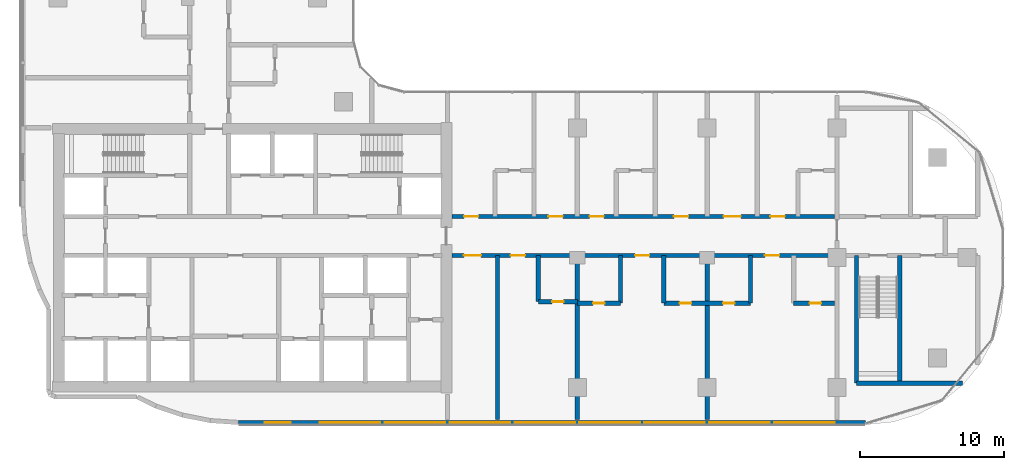
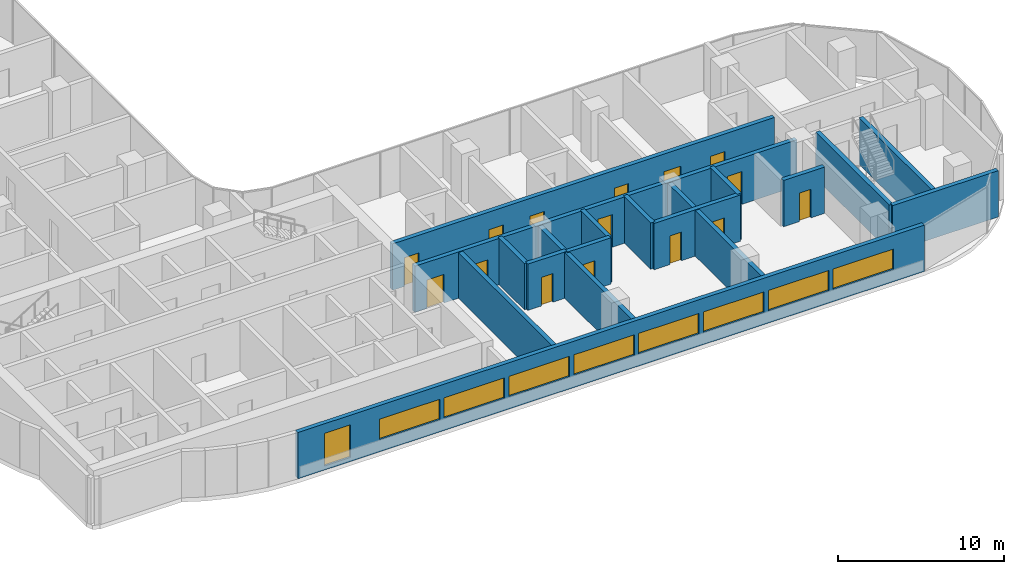
# One storey, part 12 of 23: 17 walls, 15 doors, 9 windows, 24 openings.
"""IFC4 building model written with IfcOpenShell, lengths in metres."""

from ifc_helpers import new_model, si_unit, direction, frame, frame_2d, origin, place, context, subcontext, project, spatial, rectangle, extrude, material, layer, layer_set, type_object, element, fill, save


model = new_model("IFC4")

# Units and contexts
model_context = context("Model", 3, precision=1e-05, world=origin(), true_north=direction((0.0, 1.0)))
body_context = subcontext(model_context, "Body", "Model", "MODEL_VIEW")
ifc_project = project(units=[si_unit("LENGTHUNIT", "METRE"), si_unit("AREAUNIT", "SQUARE_METRE"), si_unit("VOLUMEUNIT", "CUBIC_METRE"), si_unit("PLANEANGLEUNIT", "RADIAN"), si_unit("MASSUNIT", "GRAM", prefix="KILO")], contexts=[model_context])

# Site, building, storey
site_placement = place(None, origin())
site = spatial("IfcSite", under=ifc_project, at=site_placement, CompositionType="ELEMENT")
building_placement = place(site_placement, origin())
building = spatial("IfcBuilding", under=site, at=building_placement, Name="Ogive Portal Towers", CompositionType="ELEMENT")
storey_placement = place(building_placement, frame((0.0, 0.0, 120.39990234375)))
storey = spatial("IfcBuildingStorey", under=building, at=storey_placement, Name="L29", CompositionType="ELEMENT", Elevation=120.39990234375)

# Wall, openings, windows
ifc_material_1 = material(Name="Limestone cladding on lightweight block wall", Category="masonry")
ifc_layer_1 = layer(ifc_material_1, 0.300048828125)
ifc_layer_set_1 = layer_set([ifc_layer_1], Name="EXTERNAL WALL 300 STONE")
wall_type_1 = type_object("IfcWallType", Name="EXTERNAL WALL 300 STONE", PredefinedType="SOLIDWALL", material=ifc_layer_set_1)
wall_1_placement = place(storey_placement, frame((44.009765625, 19.074951171875, 0.0), z_axis=(0.0, 0.0, 1.0), x_axis=(1.0, 0.0, 0.0)))
wall_1 = element("IfcWall", 1, at=wall_1_placement, inside=storey, type_object=wall_type_1, Name="A:L29:f08:r0:wall", PredefinedType="SOLIDWALL", context=body_context, shape_type="SweptSolid", body=[
    extrude(rectangle(XDim=43.478271484375, YDim=0.300048828125, at=frame_2d((21.7392578125, 0.0))), origin(), (0.0, 0.0, 1.0), 3.400146484375),
])
opening_1_placement = place(wall_1_placement, frame((1.844970703125, 0.0, 0.300048828125)))
opening_1 = element("IfcOpeningElement", 2, at=opening_1_placement, cuts=wall_1, Name="Opening WN10", PredefinedType="OPENING", context=body_context, shape_type="SweptSolid", body=[
    extrude(rectangle(XDim=1.800048828125, YDim=2.39990234375, at=frame_2d((0.89990234375, 1.199951171875))), frame((0.0, 0.16015625, 0.0), z_axis=(0.0, -1.0, 0.0), x_axis=(1.0, 0.0, 0.0)), (0.0, 0.0, 1.0), 0.320068359375),
])
opening_2_placement = place(wall_1_placement, frame((5.64013671875, 0.0, 0.89990234375)))
opening_2 = element("IfcOpeningElement", 3, at=opening_2_placement, cuts=wall_1, Name="Opening WN11", PredefinedType="OPENING", context=body_context, shape_type="SweptSolid", body=[
    extrude(rectangle(XDim=4.199951171875, YDim=1.5, at=frame_2d((2.10009765625, 0.75))), frame((0.0, 0.16015625, 0.0), z_axis=(0.0, -1.0, 0.0), x_axis=(1.0, 0.0, 0.0)), (0.0, 0.0, 1.0), 0.320068359375),
])
opening_3_placement = place(wall_1_placement, frame((10.14013671875, 0.0, 0.89990234375)))
opening_3 = element("IfcOpeningElement", 4, at=opening_3_placement, cuts=wall_1, Name="Opening WN11", PredefinedType="OPENING", context=body_context, shape_type="SweptSolid", body=[
    extrude(rectangle(XDim=4.199951171875, YDim=1.5, at=frame_2d((2.10009765625, 0.75))), frame((0.0, 0.16015625, 0.0), z_axis=(0.0, -1.0, 0.0), x_axis=(1.0, 0.0, 0.0)), (0.0, 0.0, 1.0), 0.320068359375),
])
opening_4_placement = place(wall_1_placement, frame((14.64013671875, 0.0, 0.89990234375)))
opening_4 = element("IfcOpeningElement", 5, at=opening_4_placement, cuts=wall_1, Name="Opening WN11", PredefinedType="OPENING", context=body_context, shape_type="SweptSolid", body=[
    extrude(rectangle(XDim=4.199951171875, YDim=1.5, at=frame_2d((2.10009765625, 0.75))), frame((0.0, 0.16015625, 0.0), z_axis=(0.0, -1.0, 0.0), x_axis=(1.0, 0.0, 0.0)), (0.0, 0.0, 1.0), 0.320068359375),
])
opening_5_placement = place(wall_1_placement, frame((19.14013671875, 0.0, 0.89990234375)))
opening_5 = element("IfcOpeningElement", 6, at=opening_5_placement, cuts=wall_1, Name="Opening WN11", PredefinedType="OPENING", context=body_context, shape_type="SweptSolid", body=[
    extrude(rectangle(XDim=4.199951171875, YDim=1.5, at=frame_2d((2.10009765625, 0.75))), frame((0.0, 0.16015625, 0.0), z_axis=(0.0, -1.0, 0.0), x_axis=(1.0, 0.0, 0.0)), (0.0, 0.0, 1.0), 0.320068359375),
])
opening_6_placement = place(wall_1_placement, frame((23.64013671875, 0.0, 0.89990234375)))
opening_6 = element("IfcOpeningElement", 7, at=opening_6_placement, cuts=wall_1, Name="Opening WN11", PredefinedType="OPENING", context=body_context, shape_type="SweptSolid", body=[
    extrude(rectangle(XDim=4.199951171875, YDim=1.5, at=frame_2d((2.10009765625, 0.75))), frame((0.0, 0.16015625, 0.0), z_axis=(0.0, -1.0, 0.0), x_axis=(1.0, 0.0, 0.0)), (0.0, 0.0, 1.0), 0.320068359375),
])
opening_7_placement = place(wall_1_placement, frame((28.14013671875, 0.0, 0.89990234375)))
opening_7 = element("IfcOpeningElement", 8, at=opening_7_placement, cuts=wall_1, Name="Opening WN11", PredefinedType="OPENING", context=body_context, shape_type="SweptSolid", body=[
    extrude(rectangle(XDim=4.199951171875, YDim=1.5, at=frame_2d((2.10009765625, 0.75))), frame((0.0, 0.16015625, 0.0), z_axis=(0.0, -1.0, 0.0), x_axis=(1.0, 0.0, 0.0)), (0.0, 0.0, 1.0), 0.320068359375),
])
opening_8_placement = place(wall_1_placement, frame((32.64013671875, 0.0, 0.89990234375)))
opening_8 = element("IfcOpeningElement", 9, at=opening_8_placement, cuts=wall_1, Name="Opening WN11", PredefinedType="OPENING", context=body_context, shape_type="SweptSolid", body=[
    extrude(rectangle(XDim=4.199951171875, YDim=1.5, at=frame_2d((2.10009765625, 0.75))), frame((0.0, 0.16015625, 0.0), z_axis=(0.0, -1.0, 0.0), x_axis=(1.0, 0.0, 0.0)), (0.0, 0.0, 1.0), 0.320068359375),
])
opening_9_placement = place(wall_1_placement, frame((37.14013671875, 0.0, 0.89990234375)))
opening_9 = element("IfcOpeningElement", 10, at=opening_9_placement, cuts=wall_1, Name="Opening WN11", PredefinedType="OPENING", context=body_context, shape_type="SweptSolid", body=[
    extrude(rectangle(XDim=4.199951171875, YDim=1.5, at=frame_2d((2.10009765625, 0.75))), frame((0.0, 0.16015625, 0.0), z_axis=(0.0, -1.0, 0.0), x_axis=(1.0, 0.0, 0.0)), (0.0, 0.0, 1.0), 0.320068359375),
])
ifc_material_2 = material(Name="Glass, clear low-iron insulated glazing", Category="glass")
window_type_1 = type_object("IfcWindowType", Name="WINDOW RIBBON 4200x1500", PartitioningType="TRIPLE_PANEL_VERTICAL", PredefinedType="WINDOW", material=ifc_material_2)
window_1_placement = place(opening_2_placement, origin())
window_1 = element("IfcWindow", 11, at=window_1_placement, inside=storey, type_object=window_type_1, Name="A:L29:f08:r0:w1", OverallHeight=1.5, OverallWidth=4.199951171875, PartitioningType="SINGLE_PANEL", PredefinedType="WINDOW", context=body_context, shape_type="SweptSolid", body=[
    extrude(rectangle(XDim=4.199951171875, YDim=1.5, at=frame_2d((2.10009765625, 0.75))), frame((0.0, 0.030029296875, 0.0), z_axis=(0.0, -1.0, 0.0), x_axis=(1.0, 0.0, 0.0)), (0.0, 0.0, 1.0), 0.06005859375),
])
fill(opening_2, window_1)
window_2_placement = place(opening_3_placement, origin())
window_2 = element("IfcWindow", 12, at=window_2_placement, inside=storey, type_object=window_type_1, Name="A:L29:f08:r0:w2", OverallHeight=1.5, OverallWidth=4.199951171875, PartitioningType="SINGLE_PANEL", PredefinedType="WINDOW", context=body_context, shape_type="SweptSolid", body=[
    extrude(rectangle(XDim=4.199951171875, YDim=1.5, at=frame_2d((2.10009765625, 0.75))), frame((0.0, 0.030029296875, 0.0), z_axis=(0.0, -1.0, 0.0), x_axis=(1.0, 0.0, 0.0)), (0.0, 0.0, 1.0), 0.06005859375),
])
fill(opening_3, window_2)
window_3_placement = place(opening_4_placement, origin())
window_3 = element("IfcWindow", 13, at=window_3_placement, inside=storey, type_object=window_type_1, Name="A:L29:f08:r0:w3", OverallHeight=1.5, OverallWidth=4.199951171875, PartitioningType="SINGLE_PANEL", PredefinedType="WINDOW", context=body_context, shape_type="SweptSolid", body=[
    extrude(rectangle(XDim=4.199951171875, YDim=1.5, at=frame_2d((2.10009765625, 0.75))), frame((0.0, 0.030029296875, 0.0), z_axis=(0.0, -1.0, 0.0), x_axis=(1.0, 0.0, 0.0)), (0.0, 0.0, 1.0), 0.06005859375),
])
fill(opening_4, window_3)
window_4_placement = place(opening_5_placement, origin())
window_4 = element("IfcWindow", 14, at=window_4_placement, inside=storey, type_object=window_type_1, Name="A:L29:f08:r0:w4", OverallHeight=1.5, OverallWidth=4.199951171875, PartitioningType="SINGLE_PANEL", PredefinedType="WINDOW", context=body_context, shape_type="SweptSolid", body=[
    extrude(rectangle(XDim=4.199951171875, YDim=1.5, at=frame_2d((2.10009765625, 0.75))), frame((0.0, 0.030029296875, 0.0), z_axis=(0.0, -1.0, 0.0), x_axis=(1.0, 0.0, 0.0)), (0.0, 0.0, 1.0), 0.06005859375),
])
fill(opening_5, window_4)
window_5_placement = place(opening_6_placement, origin())
window_5 = element("IfcWindow", 15, at=window_5_placement, inside=storey, type_object=window_type_1, Name="A:L29:f08:r0:w5", OverallHeight=1.5, OverallWidth=4.199951171875, PartitioningType="SINGLE_PANEL", PredefinedType="WINDOW", context=body_context, shape_type="SweptSolid", body=[
    extrude(rectangle(XDim=4.199951171875, YDim=1.5, at=frame_2d((2.10009765625, 0.75))), frame((0.0, 0.030029296875, 0.0), z_axis=(0.0, -1.0, 0.0), x_axis=(1.0, 0.0, 0.0)), (0.0, 0.0, 1.0), 0.06005859375),
])
fill(opening_6, window_5)
window_6_placement = place(opening_7_placement, origin())
window_6 = element("IfcWindow", 16, at=window_6_placement, inside=storey, type_object=window_type_1, Name="A:L29:f08:r0:w6", OverallHeight=1.5, OverallWidth=4.199951171875, PartitioningType="SINGLE_PANEL", PredefinedType="WINDOW", context=body_context, shape_type="SweptSolid", body=[
    extrude(rectangle(XDim=4.199951171875, YDim=1.5, at=frame_2d((2.10009765625, 0.75))), frame((0.0, 0.030029296875, 0.0), z_axis=(0.0, -1.0, 0.0), x_axis=(1.0, 0.0, 0.0)), (0.0, 0.0, 1.0), 0.06005859375),
])
fill(opening_7, window_6)
window_7_placement = place(opening_8_placement, origin())
window_7 = element("IfcWindow", 17, at=window_7_placement, inside=storey, type_object=window_type_1, Name="A:L29:f08:r0:w7", OverallHeight=1.5, OverallWidth=4.199951171875, PartitioningType="SINGLE_PANEL", PredefinedType="WINDOW", context=body_context, shape_type="SweptSolid", body=[
    extrude(rectangle(XDim=4.199951171875, YDim=1.5, at=frame_2d((2.10009765625, 0.75))), frame((0.0, 0.030029296875, 0.0), z_axis=(0.0, -1.0, 0.0), x_axis=(1.0, 0.0, 0.0)), (0.0, 0.0, 1.0), 0.06005859375),
])
fill(opening_8, window_7)
window_8_placement = place(opening_9_placement, origin())
window_8 = element("IfcWindow", 18, at=window_8_placement, inside=storey, type_object=window_type_1, Name="A:L29:f08:r0:w8", OverallHeight=1.5, OverallWidth=4.199951171875, PartitioningType="SINGLE_PANEL", PredefinedType="WINDOW", context=body_context, shape_type="SweptSolid", body=[
    extrude(rectangle(XDim=4.199951171875, YDim=1.5, at=frame_2d((2.10009765625, 0.75))), frame((0.0, 0.030029296875, 0.0), z_axis=(0.0, -1.0, 0.0), x_axis=(1.0, 0.0, 0.0)), (0.0, 0.0, 1.0), 0.06005859375),
])
fill(opening_9, window_8)
window_type_2 = type_object("IfcWindowType", Name="WINDOW SUITE CORNER 1800x2400", PartitioningType="DOUBLE_PANEL_VERTICAL", PredefinedType="WINDOW", material=ifc_material_2)
window_9_placement = place(opening_1_placement, origin())
window_9 = element("IfcWindow", 19, at=window_9_placement, inside=storey, type_object=window_type_2, Name="A:L29:f08:r0:w0", OverallHeight=2.39990234375, OverallWidth=1.800048828125, PartitioningType="SINGLE_PANEL", PredefinedType="WINDOW", context=body_context, shape_type="SweptSolid", body=[
    extrude(rectangle(XDim=1.800048828125, YDim=2.39990234375, at=frame_2d((0.89990234375, 1.199951171875))), frame((0.0, 0.030029296875, 0.0), z_axis=(0.0, -1.0, 0.0), x_axis=(1.0, 0.0, 0.0)), (0.0, 0.0, 1.0), 0.06005859375),
])
fill(opening_1, window_9)

# Walls
ifc_material_3 = material(Name="Concrete C50/60", Category="concrete")
ifc_layer_2 = layer(ifc_material_3, 0.300048828125)
ifc_layer_set_2 = layer_set([ifc_layer_2], Name="STAIR WALL 300 C50")
wall_type_2 = type_object("IfcWallType", Name="STAIR WALL 300 C50", PredefinedType="SHEAR", material=ifc_layer_set_2)
wall_2_placement = place(storey_placement, frame((86.85009765625, 21.800048828125, 0.0), z_axis=(0.0, 0.0, 1.0), x_axis=(1.0, 0.0, 0.0)))
element("IfcWall", 20, at=wall_2_placement, inside=storey, type_object=wall_type_2, Name="Stair wall ST-A4 L29", PredefinedType="SHEAR", context=body_context, shape_type="SweptSolid", body=[
    extrude(rectangle(XDim=7.3388671875, YDim=0.300048828125, at=frame_2d((3.66943359375, 0.0))), origin(), (0.0, 0.0, 1.0), 3.400146484375),
])
for number, where, z_axis, x_axis, name in (
    (21, (86.85009765625, 21.800048828125, 0.0), (0.0, 0.0, 1.0), (0.0, 1.0, 0.0), "Stair wall ST-A4 L29"),
    (22, (89.85009765625, 21.800048828125, 0.0), (0.0, 0.0, 1.0), (0.0, 1.0, 0.0), "Stair wall ST-A4 L29"),
):
    element("IfcWall", number, at=place(storey_placement, frame(where, z_axis=z_axis, x_axis=x_axis)), inside=storey, type_object=wall_type_2, Name=name, PredefinedType="SHEAR", context=body_context, shape_type="SweptSolid", body=[
        extrude(rectangle(XDim=8.849853515625, YDim=0.300048828125, at=frame_2d((4.4248046875, 0.0))), origin(), (0.0, 0.0, 1.0), 3.400146484375),
    ])

# Wall, openings, doors
ifc_material_4 = material(Name="Gypsum board partition on steel studs", Category="steel")
ifc_layer_3 = layer(ifc_material_4, 0.300048828125)
ifc_layer_set_3 = layer_set([ifc_layer_3], Name="WT-PART-300-EI 120")
wall_type_3 = type_object("IfcWallType", Name="WT-PART-300-EI 120", PredefinedType="PARTITIONING", material=ifc_layer_set_3)
wall_3_placement = place(storey_placement, frame((58.800048828125, 30.64990234375, 0.0), z_axis=(0.0, 0.0, 1.0), x_axis=(1.0, 0.0, 0.0)))
wall_3 = element("IfcWall", 23, at=wall_3_placement, inside=storey, type_object=wall_type_3, Name="Wall L29:w006", PredefinedType="PARTITIONING", context=body_context, shape_type="SweptSolid", body=[
    extrude(rectangle(XDim=26.530029296875, YDim=0.300048828125, at=frame_2d((13.26513671875, 0.0))), origin(), (0.0, 0.0, 1.0), 3.400146484375),
])
opening_10_placement = place(wall_3_placement, frame((0.8349609375, 0.0, 0.0)))
opening_10 = element("IfcOpeningElement", 24, at=opening_10_placement, cuts=wall_3, Name="Opening D10-029", PredefinedType="OPENING", context=body_context, shape_type="SweptSolid", body=[
    extrude(rectangle(XDim=1.199951171875, YDim=2.10009765625, at=frame_2d((0.60009765625, 1.050048828125))), frame((0.0, 0.16015625, 0.0), z_axis=(0.0, -1.0, 0.0), x_axis=(1.0, 0.0, 0.0)), (0.0, 0.0, 1.0), 0.320068359375),
])
opening_11_placement = place(wall_3_placement, frame((4.0849609375, 0.0, 0.0)))
opening_11 = element("IfcOpeningElement", 25, at=opening_11_placement, cuts=wall_3, Name="Opening D10-031", PredefinedType="OPENING", context=body_context, shape_type="SweptSolid", body=[
    extrude(rectangle(XDim=1.0, YDim=2.10009765625, at=frame_2d((0.5, 1.050048828125))), frame((0.0, 0.16015625, 0.0), z_axis=(0.0, -1.0, 0.0), x_axis=(1.0, 0.0, 0.0)), (0.0, 0.0, 1.0), 0.320068359375),
])
opening_12_placement = place(wall_3_placement, frame((12.699951171875, 0.0, 0.0)))
opening_12 = element("IfcOpeningElement", 26, at=opening_12_placement, cuts=wall_3, Name="Opening D10-037", PredefinedType="OPENING", context=body_context, shape_type="SweptSolid", body=[
    extrude(rectangle(XDim=1.0, YDim=2.39990234375, at=frame_2d((0.5, 1.199951171875))), frame((0.0, 0.16015625, 0.0), z_axis=(0.0, -1.0, 0.0), x_axis=(1.0, 0.0, 0.0)), (0.0, 0.0, 1.0), 0.320068359375),
])
opening_13_placement = place(wall_3_placement, frame((21.699951171875, 0.0, 0.0)))
opening_13 = element("IfcOpeningElement", 27, at=opening_13_placement, cuts=wall_3, Name="Opening D10-043", PredefinedType="OPENING", context=body_context, shape_type="SweptSolid", body=[
    extrude(rectangle(XDim=1.0, YDim=2.39990234375, at=frame_2d((0.5, 1.199951171875))), frame((0.0, 0.16015625, 0.0), z_axis=(0.0, -1.0, 0.0), x_axis=(1.0, 0.0, 0.0)), (0.0, 0.0, 1.0), 0.320068359375),
])
ifc_material_5 = material(Name="Steel fire door", Category="steel")
door_type_1 = type_object("IfcDoorType", Name="DT-ENTRY-1000x2100-FD90S", OperationType="SINGLE_SWING_LEFT", PredefinedType="DOOR", material=ifc_material_5)
door_1_placement = place(opening_11_placement, origin())
door_1 = element("IfcDoor", 28, at=door_1_placement, inside=storey, type_object=door_type_1, Name="Door D10-031", OperationType="SINGLE_SWING_LEFT", OverallHeight=2.10009765625, OverallWidth=1.0, PredefinedType="DOOR", context=body_context, shape_type="SweptSolid", body=[
    extrude(rectangle(XDim=1.0, YDim=2.10009765625, at=frame_2d((0.5, 1.050048828125))), frame((0.0, 0.02490234375, 0.0), z_axis=(0.0, -1.0, 0.0), x_axis=(1.0, 0.0, 0.0)), (0.0, 0.0, 1.0), 0.050048828125),
])
fill(opening_11, door_1)
door_type_2 = type_object("IfcDoorType", Name="DT-ENTRY-1000x2400-FD90S", OperationType="SINGLE_SWING_LEFT", PredefinedType="DOOR", material=ifc_material_5)
door_2_placement = place(opening_12_placement, origin())
door_2 = element("IfcDoor", 29, at=door_2_placement, inside=storey, type_object=door_type_2, Name="Door D10-037", OperationType="SINGLE_SWING_LEFT", OverallHeight=2.39990234375, OverallWidth=1.0, PredefinedType="DOOR", context=body_context, shape_type="SweptSolid", body=[
    extrude(rectangle(XDim=1.0, YDim=2.39990234375, at=frame_2d((0.5, 1.199951171875))), frame((0.0, 0.02490234375, 0.0), z_axis=(0.0, -1.0, 0.0), x_axis=(1.0, 0.0, 0.0)), (0.0, 0.0, 1.0), 0.050048828125),
])
fill(opening_12, door_2)
door_3_placement = place(opening_13_placement, origin())
door_3 = element("IfcDoor", 30, at=door_3_placement, inside=storey, type_object=door_type_2, Name="Door D10-043", OperationType="SINGLE_SWING_LEFT", OverallHeight=2.39990234375, OverallWidth=1.0, PredefinedType="DOOR", context=body_context, shape_type="SweptSolid", body=[
    extrude(rectangle(XDim=1.0, YDim=2.39990234375, at=frame_2d((0.5, 1.199951171875))), frame((0.0, 0.02490234375, 0.0), z_axis=(0.0, -1.0, 0.0), x_axis=(1.0, 0.0, 0.0)), (0.0, 0.0, 1.0), 0.050048828125),
])
fill(opening_13, door_3)
door_type_3 = type_object("IfcDoorType", Name="DT-ENTRY-1200x2100-FD90S", OperationType="SINGLE_SWING_LEFT", PredefinedType="DOOR", material=ifc_material_5)
door_4_placement = place(opening_10_placement, origin())
door_4 = element("IfcDoor", 31, at=door_4_placement, inside=storey, type_object=door_type_3, Name="Door D10-029", OperationType="SINGLE_SWING_LEFT", OverallHeight=2.10009765625, OverallWidth=1.199951171875, PredefinedType="DOOR", context=body_context, shape_type="SweptSolid", body=[
    extrude(rectangle(XDim=1.199951171875, YDim=2.10009765625, at=frame_2d((0.60009765625, 1.050048828125))), frame((0.0, 0.02490234375, 0.0), z_axis=(0.0, -1.0, 0.0), x_axis=(1.0, 0.0, 0.0)), (0.0, 0.0, 1.0), 0.050048828125),
])
fill(opening_10, door_4)

wall_4_placement = place(storey_placement, frame((58.800048828125, 33.35009765625, 0.0), z_axis=(0.0, 0.0, 1.0), x_axis=(1.0, 0.0, 0.0)))
wall_4 = element("IfcWall", 32, at=wall_4_placement, inside=storey, type_object=wall_type_3, Name="Wall L29:w008", PredefinedType="PARTITIONING", context=body_context, shape_type="SweptSolid", body=[
    extrude(rectangle(XDim=26.530029296875, YDim=0.300048828125, at=frame_2d((13.26513671875, 0.0))), origin(), (0.0, 0.0, 1.0), 3.400146484375),
])
opening_14_placement = place(wall_4_placement, frame((0.85009765625, 0.0, 0.0)))
opening_14 = element("IfcOpeningElement", 33, at=opening_14_placement, cuts=wall_4, Name="Opening D10-027", PredefinedType="OPENING", context=body_context, shape_type="SweptSolid", body=[
    extrude(rectangle(XDim=1.0, YDim=2.10009765625, at=frame_2d((0.5, 1.050048828125))), frame((0.0, 0.16015625, 0.0), z_axis=(0.0, -1.0, 0.0), x_axis=(1.0, 0.0, 0.0)), (0.0, 0.0, 1.0), 0.320068359375),
])
opening_15_placement = place(wall_4_placement, frame((6.699951171875, 0.0, 0.0)))
opening_15 = element("IfcOpeningElement", 34, at=opening_15_placement, cuts=wall_4, Name="Opening D10-028", PredefinedType="OPENING", context=body_context, shape_type="SweptSolid", body=[
    extrude(rectangle(XDim=1.0, YDim=2.10009765625, at=frame_2d((0.5, 1.050048828125))), frame((0.0, 0.16015625, 0.0), z_axis=(0.0, -1.0, 0.0), x_axis=(1.0, 0.0, 0.0)), (0.0, 0.0, 1.0), 0.320068359375),
])
opening_16_placement = place(wall_4_placement, frame((9.550048828125, 0.0, 0.0)))
opening_16 = element("IfcOpeningElement", 35, at=opening_16_placement, cuts=wall_4, Name="Opening D10-033", PredefinedType="OPENING", context=body_context, shape_type="SweptSolid", body=[
    extrude(rectangle(XDim=1.0, YDim=2.10009765625, at=frame_2d((0.5, 1.050048828125))), frame((0.0, 0.16015625, 0.0), z_axis=(0.0, -1.0, 0.0), x_axis=(1.0, 0.0, 0.0)), (0.0, 0.0, 1.0), 0.320068359375),
])
opening_17_placement = place(wall_4_placement, frame((15.39990234375, 0.0, 0.0)))
opening_17 = element("IfcOpeningElement", 36, at=opening_17_placement, cuts=wall_4, Name="Opening D10-034", PredefinedType="OPENING", context=body_context, shape_type="SweptSolid", body=[
    extrude(rectangle(XDim=1.0, YDim=2.10009765625, at=frame_2d((0.5, 1.050048828125))), frame((0.0, 0.16015625, 0.0), z_axis=(0.0, -1.0, 0.0), x_axis=(1.0, 0.0, 0.0)), (0.0, 0.0, 1.0), 0.320068359375),
])
opening_18_placement = place(wall_4_placement, frame((18.8349609375, 0.0, 0.0)))
opening_18 = element("IfcOpeningElement", 37, at=opening_18_placement, cuts=wall_4, Name="Opening D10-038", PredefinedType="OPENING", context=body_context, shape_type="SweptSolid", body=[
    extrude(rectangle(XDim=1.199951171875, YDim=2.10009765625, at=frame_2d((0.60009765625, 1.050048828125))), frame((0.0, 0.16015625, 0.0), z_axis=(0.0, -1.0, 0.0), x_axis=(1.0, 0.0, 0.0)), (0.0, 0.0, 1.0), 0.320068359375),
])
opening_19_placement = place(wall_4_placement, frame((22.0849609375, 0.0, 0.0)))
opening_19 = element("IfcOpeningElement", 38, at=opening_19_placement, cuts=wall_4, Name="Opening D10-040", PredefinedType="OPENING", context=body_context, shape_type="SweptSolid", body=[
    extrude(rectangle(XDim=1.0, YDim=2.10009765625, at=frame_2d((0.5, 1.050048828125))), frame((0.0, 0.16015625, 0.0), z_axis=(0.0, -1.0, 0.0), x_axis=(1.0, 0.0, 0.0)), (0.0, 0.0, 1.0), 0.320068359375),
])
door_5_placement = place(opening_14_placement, origin())
door_5 = element("IfcDoor", 39, at=door_5_placement, inside=storey, type_object=door_type_1, Name="Door D10-027", OperationType="SINGLE_SWING_LEFT", OverallHeight=2.10009765625, OverallWidth=1.0, PredefinedType="DOOR", context=body_context, shape_type="SweptSolid", body=[
    extrude(rectangle(XDim=1.0, YDim=2.10009765625, at=frame_2d((0.5, 1.050048828125))), frame((0.0, 0.02490234375, 0.0), z_axis=(0.0, -1.0, 0.0), x_axis=(1.0, 0.0, 0.0)), (0.0, 0.0, 1.0), 0.050048828125),
])
fill(opening_14, door_5)
door_6_placement = place(opening_15_placement, origin())
door_6 = element("IfcDoor", 40, at=door_6_placement, inside=storey, type_object=door_type_1, Name="Door D10-028", OperationType="SINGLE_SWING_RIGHT", OverallHeight=2.10009765625, OverallWidth=1.0, PredefinedType="DOOR", context=body_context, shape_type="SweptSolid", body=[
    extrude(rectangle(XDim=1.0, YDim=2.10009765625, at=frame_2d((0.5, 1.050048828125))), frame((0.0, 0.02490234375, 0.0), z_axis=(0.0, -1.0, 0.0), x_axis=(1.0, 0.0, 0.0)), (0.0, 0.0, 1.0), 0.050048828125),
])
fill(opening_15, door_6)
door_7_placement = place(opening_16_placement, origin())
door_7 = element("IfcDoor", 41, at=door_7_placement, inside=storey, type_object=door_type_1, Name="Door D10-033", OperationType="SINGLE_SWING_LEFT", OverallHeight=2.10009765625, OverallWidth=1.0, PredefinedType="DOOR", context=body_context, shape_type="SweptSolid", body=[
    extrude(rectangle(XDim=1.0, YDim=2.10009765625, at=frame_2d((0.5, 1.050048828125))), frame((0.0, 0.02490234375, 0.0), z_axis=(0.0, -1.0, 0.0), x_axis=(1.0, 0.0, 0.0)), (0.0, 0.0, 1.0), 0.050048828125),
])
fill(opening_16, door_7)
door_8_placement = place(opening_17_placement, origin())
door_8 = element("IfcDoor", 42, at=door_8_placement, inside=storey, type_object=door_type_1, Name="Door D10-034", OperationType="SINGLE_SWING_RIGHT", OverallHeight=2.10009765625, OverallWidth=1.0, PredefinedType="DOOR", context=body_context, shape_type="SweptSolid", body=[
    extrude(rectangle(XDim=1.0, YDim=2.10009765625, at=frame_2d((0.5, 1.050048828125))), frame((0.0, 0.02490234375, 0.0), z_axis=(0.0, -1.0, 0.0), x_axis=(1.0, 0.0, 0.0)), (0.0, 0.0, 1.0), 0.050048828125),
])
fill(opening_17, door_8)
door_9_placement = place(opening_19_placement, origin())
door_9 = element("IfcDoor", 43, at=door_9_placement, inside=storey, type_object=door_type_1, Name="Door D10-040", OperationType="SINGLE_SWING_LEFT", OverallHeight=2.10009765625, OverallWidth=1.0, PredefinedType="DOOR", context=body_context, shape_type="SweptSolid", body=[
    extrude(rectangle(XDim=1.0, YDim=2.10009765625, at=frame_2d((0.5, 1.050048828125))), frame((0.0, 0.02490234375, 0.0), z_axis=(0.0, -1.0, 0.0), x_axis=(1.0, 0.0, 0.0)), (0.0, 0.0, 1.0), 0.050048828125),
])
fill(opening_19, door_9)
door_10_placement = place(opening_18_placement, origin())
door_10 = element("IfcDoor", 44, at=door_10_placement, inside=storey, type_object=door_type_3, Name="Door D10-038", OperationType="SINGLE_SWING_LEFT", OverallHeight=2.10009765625, OverallWidth=1.199951171875, PredefinedType="DOOR", context=body_context, shape_type="SweptSolid", body=[
    extrude(rectangle(XDim=1.199951171875, YDim=2.10009765625, at=frame_2d((0.60009765625, 1.050048828125))), frame((0.0, 0.02490234375, 0.0), z_axis=(0.0, -1.0, 0.0), x_axis=(1.0, 0.0, 0.0)), (0.0, 0.0, 1.0), 0.050048828125),
])
fill(opening_18, door_10)

# Wall, opening, door
ifc_layer_4 = layer(ifc_material_4, 0.300048828125)
ifc_layer_set_4 = layer_set([ifc_layer_4], Name="WT-PART-300-EI 60")
wall_type_4 = type_object("IfcWallType", Name="WT-PART-300-EI 60", PredefinedType="PARTITIONING", material=ifc_layer_set_4)
wall_5_placement = place(storey_placement, frame((67.5, 27.35009765625, 0.0), z_axis=(0.0, 0.0, 1.0), x_axis=(1.0, 0.0, 0.0)))
wall_5 = element("IfcWall", 45, at=wall_5_placement, inside=storey, type_object=wall_type_4, Name="Wall L29:w002", PredefinedType="PARTITIONING", context=body_context, shape_type="SweptSolid", body=[
    extrude(rectangle(XDim=3.0, YDim=0.300048828125, at=frame_2d((1.5, 0.0))), origin(), (0.0, 0.0, 1.0), 3.400146484375),
])
opening_20_placement = place(wall_5_placement, frame((1.10009765625, 0.0, 0.0)))
opening_20 = element("IfcOpeningElement", 46, at=opening_20_placement, cuts=wall_5, Name="Opening D10-035", PredefinedType="OPENING", context=body_context, shape_type="SweptSolid", body=[
    extrude(rectangle(XDim=0.800048828125, YDim=2.10009765625, at=frame_2d((0.39990234375, 1.050048828125))), frame((0.0, 0.16015625, 0.0), z_axis=(0.0, -1.0, 0.0), x_axis=(1.0, 0.0, 0.0)), (0.0, 0.0, 1.0), 0.320068359375),
])
door_type_4 = type_object("IfcDoorType", Name="DT-BATH-800x2100-FD60S", OperationType="SINGLE_SWING_LEFT", PredefinedType="DOOR", material=ifc_material_5)
door_11_placement = place(opening_20_placement, origin())
door_11 = element("IfcDoor", 47, at=door_11_placement, inside=storey, type_object=door_type_4, Name="Door D10-035", OperationType="SINGLE_SWING_LEFT", OverallHeight=2.10009765625, OverallWidth=0.800048828125, PredefinedType="DOOR", context=body_context, shape_type="SweptSolid", body=[
    extrude(rectangle(XDim=0.800048828125, YDim=2.10009765625, at=frame_2d((0.39990234375, 1.050048828125))), frame((0.0, 0.02490234375, 0.0), z_axis=(0.0, -1.0, 0.0), x_axis=(1.0, 0.0, 0.0)), (0.0, 0.0, 1.0), 0.050048828125),
])
fill(opening_20, door_11)

# Wall, openings, doors
wall_6_placement = place(storey_placement, frame((73.5, 27.35009765625, 0.0), z_axis=(0.0, 0.0, 1.0), x_axis=(1.0, 0.0, 0.0)))
wall_6 = element("IfcWall", 48, at=wall_6_placement, inside=storey, type_object=wall_type_4, Name="Wall L29:w003", PredefinedType="PARTITIONING", context=body_context, shape_type="SweptSolid", body=[
    extrude(rectangle(XDim=6.0, YDim=0.300048828125, at=frame_2d((3.0, 0.0))), origin(), (0.0, 0.0, 1.0), 3.400146484375),
])
opening_21_placement = place(wall_6_placement, frame((1.10009765625, 0.0, 0.0)))
opening_21 = element("IfcOpeningElement", 49, at=opening_21_placement, cuts=wall_6, Name="Opening D10-036", PredefinedType="OPENING", context=body_context, shape_type="SweptSolid", body=[
    extrude(rectangle(XDim=0.800048828125, YDim=2.10009765625, at=frame_2d((0.39990234375, 1.050048828125))), frame((0.0, 0.16015625, 0.0), z_axis=(0.0, -1.0, 0.0), x_axis=(1.0, 0.0, 0.0)), (0.0, 0.0, 1.0), 0.320068359375),
])
opening_22_placement = place(wall_6_placement, frame((4.10009765625, 0.0, 0.0)))
opening_22 = element("IfcOpeningElement", 50, at=opening_22_placement, cuts=wall_6, Name="Opening D10-041", PredefinedType="OPENING", context=body_context, shape_type="SweptSolid", body=[
    extrude(rectangle(XDim=0.800048828125, YDim=2.10009765625, at=frame_2d((0.39990234375, 1.050048828125))), frame((0.0, 0.16015625, 0.0), z_axis=(0.0, -1.0, 0.0), x_axis=(1.0, 0.0, 0.0)), (0.0, 0.0, 1.0), 0.320068359375),
])
door_12_placement = place(opening_21_placement, origin())
door_12 = element("IfcDoor", 51, at=door_12_placement, inside=storey, type_object=door_type_4, Name="Door D10-036", OperationType="SINGLE_SWING_RIGHT", OverallHeight=2.10009765625, OverallWidth=0.800048828125, PredefinedType="DOOR", context=body_context, shape_type="SweptSolid", body=[
    extrude(rectangle(XDim=0.800048828125, YDim=2.10009765625, at=frame_2d((0.39990234375, 1.050048828125))), frame((0.0, 0.02490234375, 0.0), z_axis=(0.0, -1.0, 0.0), x_axis=(1.0, 0.0, 0.0)), (0.0, 0.0, 1.0), 0.050048828125),
])
fill(opening_21, door_12)
door_13_placement = place(opening_22_placement, origin())
door_13 = element("IfcDoor", 52, at=door_13_placement, inside=storey, type_object=door_type_4, Name="Door D10-041", OperationType="SINGLE_SWING_LEFT", OverallHeight=2.10009765625, OverallWidth=0.800048828125, PredefinedType="DOOR", context=body_context, shape_type="SweptSolid", body=[
    extrude(rectangle(XDim=0.800048828125, YDim=2.10009765625, at=frame_2d((0.39990234375, 1.050048828125))), frame((0.0, 0.02490234375, 0.0), z_axis=(0.0, -1.0, 0.0), x_axis=(1.0, 0.0, 0.0)), (0.0, 0.0, 1.0), 0.050048828125),
])
fill(opening_22, door_13)

# Wall, opening, door
wall_7_placement = place(storey_placement, frame((82.5, 27.35009765625, 0.0), z_axis=(0.0, 0.0, 1.0), x_axis=(1.0, 0.0, 0.0)))
wall_7 = element("IfcWall", 53, at=wall_7_placement, inside=storey, type_object=wall_type_4, Name="Wall L29:w004", PredefinedType="PARTITIONING", context=body_context, shape_type="SweptSolid", body=[
    extrude(rectangle(XDim=2.830078125, YDim=0.300048828125, at=frame_2d((1.4150390625, 0.0))), origin(), (0.0, 0.0, 1.0), 3.400146484375),
])
opening_23_placement = place(wall_7_placement, frame((1.10009765625, 0.0, 0.0)))
opening_23 = element("IfcOpeningElement", 54, at=opening_23_placement, cuts=wall_7, Name="Opening D10-042", PredefinedType="OPENING", context=body_context, shape_type="SweptSolid", body=[
    extrude(rectangle(XDim=0.800048828125, YDim=2.10009765625, at=frame_2d((0.39990234375, 1.050048828125))), frame((0.0, 0.16015625, 0.0), z_axis=(0.0, -1.0, 0.0), x_axis=(1.0, 0.0, 0.0)), (0.0, 0.0, 1.0), 0.320068359375),
])
door_14_placement = place(opening_23_placement, origin())
door_14 = element("IfcDoor", 55, at=door_14_placement, inside=storey, type_object=door_type_4, Name="Door D10-042", OperationType="SINGLE_SWING_RIGHT", OverallHeight=2.10009765625, OverallWidth=0.800048828125, PredefinedType="DOOR", context=body_context, shape_type="SweptSolid", body=[
    extrude(rectangle(XDim=0.800048828125, YDim=2.10009765625, at=frame_2d((0.39990234375, 1.050048828125))), frame((0.0, 0.02490234375, 0.0), z_axis=(0.0, -1.0, 0.0), x_axis=(1.0, 0.0, 0.0)), (0.0, 0.0, 1.0), 0.050048828125),
])
fill(opening_23, door_14)

wall_8_placement = place(storey_placement, frame((64.800048828125, 27.449951171875, 0.0), z_axis=(0.0, 0.0, 1.0), x_axis=(1.0, 0.0, 0.0)))
wall_8 = element("IfcWall", 56, at=wall_8_placement, inside=storey, type_object=wall_type_4, Name="Wall L29:w005", PredefinedType="PARTITIONING", context=body_context, shape_type="SweptSolid", body=[
    extrude(rectangle(XDim=2.699951171875, YDim=0.300048828125, at=frame_2d((1.35009765625, 0.0))), origin(), (0.0, 0.0, 1.0), 3.400146484375),
])
opening_24_placement = place(wall_8_placement, frame((0.949951171875, 0.0, 0.0)))
opening_24 = element("IfcOpeningElement", 57, at=opening_24_placement, cuts=wall_8, Name="Opening D10-030", PredefinedType="OPENING", context=body_context, shape_type="SweptSolid", body=[
    extrude(rectangle(XDim=0.800048828125, YDim=2.10009765625, at=frame_2d((0.39990234375, 1.050048828125))), frame((0.0, 0.16015625, 0.0), z_axis=(0.0, -1.0, 0.0), x_axis=(1.0, 0.0, 0.0)), (0.0, 0.0, 1.0), 0.320068359375),
])
door_15_placement = place(opening_24_placement, origin())
door_15 = element("IfcDoor", 58, at=door_15_placement, inside=storey, type_object=door_type_4, Name="Door D10-030", OperationType="SINGLE_SWING_RIGHT", OverallHeight=2.10009765625, OverallWidth=0.800048828125, PredefinedType="DOOR", context=body_context, shape_type="SweptSolid", body=[
    extrude(rectangle(XDim=0.800048828125, YDim=2.10009765625, at=frame_2d((0.39990234375, 1.050048828125))), frame((0.0, 0.02490234375, 0.0), z_axis=(0.0, -1.0, 0.0), x_axis=(1.0, 0.0, 0.0)), (0.0, 0.0, 1.0), 0.050048828125),
])
fill(opening_24, door_15)

# Walls
wall_9_placement = place(storey_placement, frame((61.969970703125, 19.27490234375, 0.0), z_axis=(0.0, 0.0, 1.0), x_axis=(0.0, 1.0, 0.0)))
element("IfcWall", 59, at=wall_9_placement, inside=storey, type_object=wall_type_4, Name="Wall L29:w049", PredefinedType="PARTITIONING", context=body_context, shape_type="SweptSolid", body=[
    extrude(rectangle(XDim=11.375, YDim=0.300048828125, at=frame_2d((5.6875, 0.0))), origin(), (0.0, 0.0, 1.0), 3.35009765625),
])
wall_10_placement = place(storey_placement, frame((64.800048828125, 27.449951171875, 0.0), z_axis=(0.0, 0.0, 1.0), x_axis=(0.0, 1.0, 0.0)))
element("IfcWall", 60, at=wall_10_placement, inside=storey, type_object=wall_type_4, Name="Wall L29:w051", PredefinedType="PARTITIONING", context=body_context, shape_type="SweptSolid", body=[
    extrude(rectangle(XDim=3.199951171875, YDim=0.300048828125, at=frame_2d((1.60009765625, 0.0))), origin(), (0.0, 0.0, 1.0), 3.400146484375),
])
wall_11_placement = place(storey_placement, frame((67.5, 19.27490234375, 0.0), z_axis=(0.0, 0.0, 1.0), x_axis=(0.0, 1.0, 0.0)))
element("IfcWall", 61, at=wall_11_placement, inside=storey, type_object=wall_type_4, Name="Wall L29:w052", PredefinedType="PARTITIONING", context=body_context, shape_type="SweptSolid", body=[
    extrude(rectangle(XDim=11.375, YDim=0.300048828125, at=frame_2d((5.6875, 0.0))), origin(), (0.0, 0.0, 1.0), 3.35009765625),
])
for number, where, z_axis, x_axis, name in (
    (62, (70.5, 27.35009765625, 0.0), (0.0, 0.0, 1.0), (0.0, 1.0, 0.0), "Wall L29:w055"),
    (63, (73.5, 27.35009765625, 0.0), (0.0, 0.0, 1.0), (0.0, 1.0, 0.0), "Wall L29:w057"),
):
    element("IfcWall", number, at=place(storey_placement, frame(where, z_axis=z_axis, x_axis=x_axis)), inside=storey, type_object=wall_type_4, Name=name, PredefinedType="PARTITIONING", context=body_context, shape_type="SweptSolid", body=[
        extrude(rectangle(XDim=3.2998046875, YDim=0.300048828125, at=frame_2d((1.64990234375, 0.0))), origin(), (0.0, 0.0, 1.0), 3.400146484375),
    ])
wall_12_placement = place(storey_placement, frame((76.5, 19.27490234375, 0.0), z_axis=(0.0, 0.0, 1.0), x_axis=(0.0, 1.0, 0.0)))
element("IfcWall", 64, at=wall_12_placement, inside=storey, type_object=wall_type_4, Name="Wall L29:w058", PredefinedType="PARTITIONING", context=body_context, shape_type="SweptSolid", body=[
    extrude(rectangle(XDim=11.375, YDim=0.300048828125, at=frame_2d((5.6875, 0.0))), origin(), (0.0, 0.0, 1.0), 3.35009765625),
])
wall_13_placement = place(storey_placement, frame((79.5, 27.35009765625, 0.0), z_axis=(0.0, 0.0, 1.0), x_axis=(0.0, 1.0, 0.0)))
element("IfcWall", 65, at=wall_13_placement, inside=storey, type_object=wall_type_4, Name="Wall L29:w060", PredefinedType="PARTITIONING", context=body_context, shape_type="SweptSolid", body=[
    extrude(rectangle(XDim=3.2998046875, YDim=0.300048828125, at=frame_2d((1.64990234375, 0.0))), origin(), (0.0, 0.0, 1.0), 3.400146484375),
])

save(model, "model.ifc")
